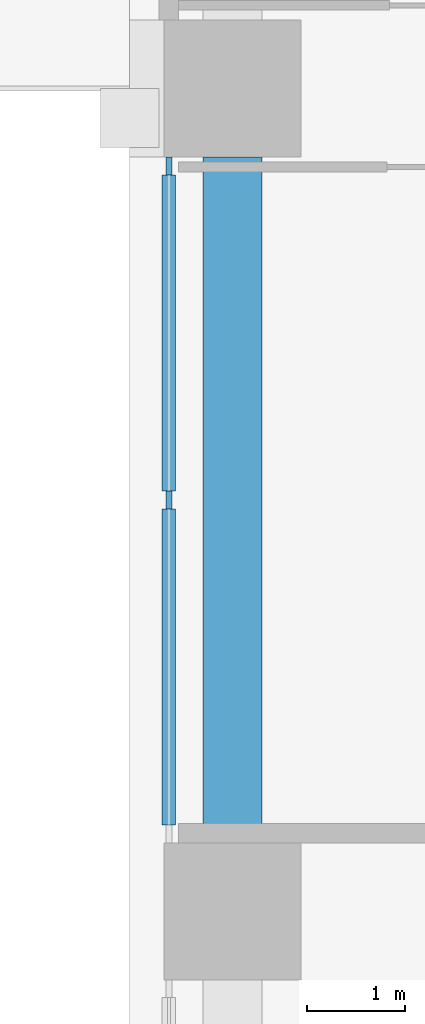
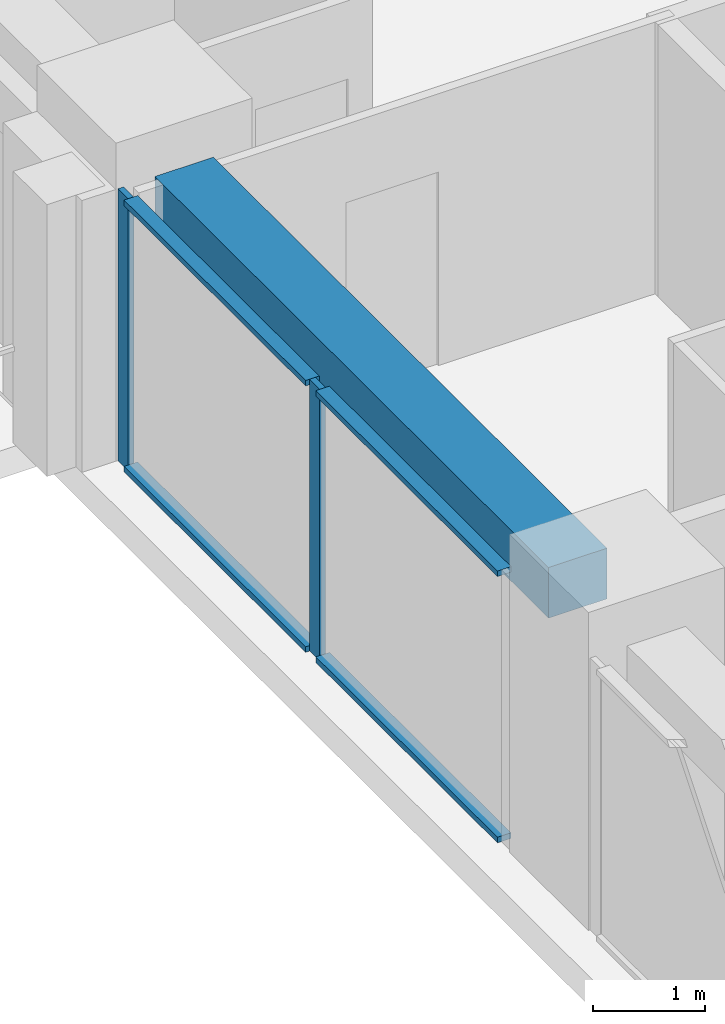
# One storey, part 3 of 16: 6 members, 1 beam, 1 element without a shape of its own.
"""IFC4 building model written with IfcOpenShell, lengths in metres."""

import ifcopenshell
import ifcopenshell.guid

model = None  # the IFC model being written
_history = None  # IfcOwnerHistory: only IFC2X3 demands one
_inside = {}  # id of a spatial element -> (the spatial element, [elements in it])
_under = {}  # id of a project, library or spatial element -> (it, [spatial elements below it])
_declared = {}  # id of a project -> (the project, [libraries it declares])
_typed = {}  # id of a type object -> (the type object, [elements of that type])
_made_of = {}  # id of a material, layer set ... -> (it, [elements and type objects made of it])


def new_model(schema):
    """Start an empty IFC model of exactly this schema.

    Asked for "IFC4X3", IfcOpenShell would pick the latest addendum, in which some entities
    have other attributes; the version numbers below select the first issue.
    IFC2X3 requires an IfcOwnerHistory on every rooted entity: one is made here for all.
    """
    global model, _history
    if schema == "IFC4X3":
        model = ifcopenshell.file(schema_version=(4, 3, 0, 0))
    else:
        model = ifcopenshell.file(schema=schema)
    _inside.clear()
    _under.clear()
    _declared.clear()
    _typed.clear()
    _made_of.clear()
    _history = None
    if model.schema == "IFC2X3":
        org = make("IfcOrganization", Name="unknown")
        user = make(
            "IfcPersonAndOrganization",
            ThePerson=make("IfcPerson", FamilyName="unknown"),
            TheOrganization=org,
        )
        app = make(
            "IfcApplication",
            ApplicationDeveloper=org,
            Version="unknown",
            ApplicationFullName="unknown",
            ApplicationIdentifier="unknown",
        )
        _history = make(
            "IfcOwnerHistory",
            OwningUser=user,
            OwningApplication=app,
            ChangeAction="ADDED",
            CreationDate=0,
        )
    return model


def make(cls, **values):
    """One entity of the class cls with the attributes given. An attribute that is None is left unset."""
    return model.create_entity(
        cls, **{name: value for name, value in values.items() if value is not None}
    )


def rooted(cls, **values):
    """An entity with a GlobalId (a new one), such as an element, a storey or a relation."""
    return make(cls, GlobalId=ifcopenshell.guid.new(), OwnerHistory=_history, **values)


def si_unit(unit_type, name, prefix=None):
    """IfcSIUnit, for example si_unit("LENGTHUNIT", "METRE", prefix="MILLI")."""
    return make("IfcSIUnit", UnitType=unit_type, Prefix=prefix, Name=name)


def assignment(units):
    """IfcUnitAssignment: the units of a project."""
    return None if units is None else make("IfcUnitAssignment", Units=units)


def point(xyz):
    """IfcCartesianPoint."""
    return None if xyz is None else make("IfcCartesianPoint", Coordinates=xyz)


def direction(xyz):
    """IfcDirection."""
    return None if xyz is None else make("IfcDirection", DirectionRatios=xyz)


def frame(location, z_axis=None, x_axis=None):
    """IfcAxis2Placement3D, a coordinate frame: its origin and axes. An axis left out is left unset."""
    return make(
        "IfcAxis2Placement3D",
        Location=point(location),
        Axis=direction(z_axis),
        RefDirection=direction(x_axis),
    )


def frame_2d(location, x_axis=None):
    """IfcAxis2Placement2D, a coordinate frame in the plane: its origin and x axis."""
    return make(
        "IfcAxis2Placement2D", Location=point(location), RefDirection=direction(x_axis)
    )


def origin():
    """The frame at (0, 0, 0) with its axes left unset."""
    return frame((0.0, 0.0, 0.0))


def origin_2d():
    """The frame at (0, 0) in the plane with its x axis left unset."""
    return frame_2d((0.0, 0.0))


def place(relative_to, where):
    """IfcLocalPlacement: puts the frame where relative to a parent placement (None: the world)."""
    return make(
        "IfcLocalPlacement", PlacementRelTo=relative_to, RelativePlacement=where
    )


def context(
    kind, dimensions, precision=None, world=None, true_north=None, identifier=None
):
    """IfcGeometricRepresentationContext, for example the 3D "Model" context."""
    return make(
        "IfcGeometricRepresentationContext",
        ContextIdentifier=identifier,
        ContextType=kind,
        CoordinateSpaceDimension=dimensions,
        Precision=precision,
        WorldCoordinateSystem=world,
        TrueNorth=true_north,
    )


def subcontext(parent, identifier, kind, view, scale=None):
    """IfcGeometricRepresentationSubContext, for example "Body" below "Model"."""
    return make(
        "IfcGeometricRepresentationSubContext",
        ContextIdentifier=identifier,
        ContextType=kind,
        ParentContext=parent,
        TargetScale=scale,
        TargetView=view,
    )


def project(units=None, contexts=None):
    """IfcProject with its units and contexts."""
    return rooted(
        "IfcProject",
        Name="project",
        RepresentationContexts=contexts,
        UnitsInContext=assignment(units),
    )


def spatial(cls, under=None, at=None, **own):
    """A site, building, storey or space (cls), placed at a placement, below another one or the project."""
    s = rooted(cls, ObjectPlacement=at, **own)
    if under is not None:
        _under.setdefault(under.id(), (under, []))[1].append(s)
    return s


def profile(cls, at=None, kind="AREA", **sizes):
    """A parametric profile (cls). Its sizes go by their IFC names, for example OverallWidth=200.0."""
    return make(cls, ProfileType=kind, Position=at, **sizes)


def rectangle(**sizes):
    """IfcRectangleProfileDef."""
    return profile("IfcRectangleProfileDef", **sizes)


def extrude(swept, where, along, depth):
    """IfcExtrudedAreaSolid: the profile swept, set in the frame where, extruded along a direction by depth."""
    return make(
        "IfcExtrudedAreaSolid",
        SweptArea=swept,
        Position=where,
        ExtrudedDirection=direction(along),
        Depth=depth,
    )


def shape(context_of_items, identifier, shape_type, items):
    """IfcShapeRepresentation: the items that make up one representation, for example the "Body"."""
    return make(
        "IfcShapeRepresentation",
        ContextOfItems=context_of_items,
        RepresentationIdentifier=identifier,
        RepresentationType=shape_type,
        Items=items,
    )


def material(Name=None, Category=None):
    """IfcMaterial."""
    return make("IfcMaterial", Name=Name, Category=Category)


def material_profile(
    of_material, cross_section, Name=None, Category=None, Priority=None
):
    """IfcMaterialProfile: a cross section and its material."""
    return make(
        "IfcMaterialProfile",
        Name=Name,
        Material=of_material,
        Profile=cross_section,
        Priority=Priority,
        Category=Category,
    )


def profile_set(profiles, Name=None, composite=None):
    """IfcMaterialProfileSet."""
    return make(
        "IfcMaterialProfileSet",
        Name=Name,
        MaterialProfiles=profiles,
        CompositeProfile=composite,
    )


def made_of(thing, what):
    """Note that an element or type object is made of a material, layer set ...; save() writes the relation."""
    if what is not None:
        _made_of.setdefault(what.id(), (what, []))[1].append(thing)
    return thing


def type_object(cls, material=None, **own):
    """A type object (cls), such as IfcWallType, which elements share."""
    return made_of(rooted(cls, **own), material)


def element(
    cls,
    number,
    at=None,
    inside=None,
    cuts=None,
    type_object=None,
    material=None,
    context=None,
    identifier="Body",
    shape_type=None,
    held_by="IfcProductDefinitionShape",
    body=None,
    shapes=None,
    **own,
):
    """One element of the class cls, such as IfcWall. Its Tag is "e" and its number.

    at: its placement. inside: the storey or other place that contains it. cuts: it is an
    opening in that element (IfcRelVoidsElement). A single representation is given by context,
    identifier, shape_type and body (its items); several are given by shapes. held_by: the class
    of the entity that holds the representations. save() writes the other relations.
    """
    e = rooted(cls, Tag="e%d" % number, ObjectPlacement=at, **own)
    if body is not None:
        shapes = [shape(context, identifier, shape_type, body)]
    if shapes is not None:
        e.Representation = make(held_by, Representations=shapes)
    if inside is not None:
        _inside.setdefault(inside.id(), (inside, []))[1].append(e)
    if cuts is not None:
        rooted(
            "IfcRelVoidsElement", RelatingBuildingElement=cuts, RelatedOpeningElement=e
        )
    if type_object is not None:
        _typed.setdefault(type_object.id(), (type_object, []))[1].append(e)
    return made_of(e, material)


def aggregate(whole, parts):
    """IfcRelAggregates: a whole, such as a stair, and the parts it consists of."""
    return rooted("IfcRelAggregates", RelatingObject=whole, RelatedObjects=parts)


def save(model, path):
    """Write the relations noted so far, then the file.

    IfcRelAggregates (storeys below a building ...), IfcRelContainedInSpatialStructure (elements
    in a storey), IfcRelDefinesByType, IfcRelAssociatesMaterial and IfcRelDeclares: one each for
    every whole, place, type object, material and project.
    """
    for whole, parts in _under.values():
        aggregate(whole, parts)
    for where, things in _inside.values():
        rooted(
            "IfcRelContainedInSpatialStructure",
            RelatedElements=things,
            RelatingStructure=where,
        )
    for kind, things in _typed.values():
        rooted("IfcRelDefinesByType", RelatedObjects=things, RelatingType=kind)
    for what, things in _made_of.values():
        rooted("IfcRelAssociatesMaterial", RelatedObjects=things, RelatingMaterial=what)
    for by, libraries in _declared.values():
        rooted("IfcRelDeclares", RelatingContext=by, RelatedDefinitions=libraries)
    model.write(path)


model = new_model("IFC4")

# Units and contexts
model_context = context("Model", 3, precision=1e-05, world=origin(), true_north=direction((0.0, 1.0)))
body_context = subcontext(model_context, "Body", "Model", "MODEL_VIEW")
ifc_project = project(units=[si_unit("LENGTHUNIT", "METRE"), si_unit("AREAUNIT", "SQUARE_METRE"), si_unit("VOLUMEUNIT", "CUBIC_METRE"), si_unit("PLANEANGLEUNIT", "RADIAN"), si_unit("MASSUNIT", "GRAM", prefix="KILO")], contexts=[model_context])

# Site, building, storey
site_placement = place(None, origin())
site = spatial("IfcSite", under=ifc_project, at=site_placement, CompositionType="ELEMENT")
building_placement = place(site_placement, origin())
building = spatial("IfcBuilding", under=site, at=building_placement, Name="Vermilion Ogive Tower", CompositionType="ELEMENT")
storey_placement = place(building_placement, frame((0.0, 0.0, 72.449951171875)))
storey = spatial("IfcBuildingStorey", under=building, at=storey_placement, Name="L17", CompositionType="ELEMENT", Elevation=72.449951171875)

# Curtain wall, members
ifc_material_1 = material(Name="Low-iron laminated glazing in aluminium frame", Category="aluminium")
curtain_wall_type = type_object("IfcCurtainWallType", Name="Curtain wall CW7", PredefinedType="NOTDEFINED", material=ifc_material_1)
curtain_wall_placement = place(storey_placement, origin())
curtain_wall = element("IfcCurtainWall", 1, at=curtain_wall_placement, inside=storey, type_object=curtain_wall_type, Name="Glazed skin W2", PredefinedType="NOTDEFINED")
ifc_material_2 = material(Name="Aluminium mullion", Category="aluminium")
ifc_material_profile_1 = material_profile(ifc_material_2, rectangle(XDim=0.06005859375, YDim=0.179931640625, at=origin_2d()), Name="AL 60x180")
ifc_profile_set_1 = profile_set([ifc_material_profile_1], Name="Aluminium mullion")
member_type_1 = type_object("IfcMemberType", Name="CW7 mullion 60x180", PredefinedType="MULLION", material=ifc_profile_set_1)
member_1_placement = place(storey_placement, frame((-25.85009765625, 3.409912109375, 0.0), z_axis=(0.0, 0.0, 1.0), x_axis=(1.0, 0.0, 0.0)))
member_1 = element("IfcMember", 2, at=member_1_placement, type_object=member_type_1, Name="CW7-W2 mullion 1", PredefinedType="MULLION", context=body_context, shape_type="SweptSolid", body=[
    extrude(rectangle(XDim=0.06005859375, YDim=0.179931640625, at=origin_2d()), origin(), (0.0, 0.0, 1.0), 2.949951171875),
])
member_2_placement = place(storey_placement, frame((-25.85009765625, 0.0, 0.0), z_axis=(0.0, 0.0, 1.0), x_axis=(1.0, 0.0, 0.0)))
member_2 = element("IfcMember", 3, at=member_2_placement, type_object=member_type_1, Name="CW7-W2 mullion 2", PredefinedType="MULLION", context=body_context, shape_type="SweptSolid", body=[
    extrude(rectangle(XDim=0.06005859375, YDim=0.179931640625, at=origin_2d()), origin(), (0.0, 0.0, 1.0), 2.949951171875),
])
ifc_material_3 = material(Name="Aluminium transom", Category="aluminium")
ifc_material_profile_2 = material_profile(ifc_material_3, rectangle(XDim=0.139892578125, YDim=0.06005859375, at=origin_2d()), Name="AL 60x140")
ifc_profile_set_2 = profile_set([ifc_material_profile_2], Name="Aluminium transom")
member_type_2 = type_object("IfcMemberType", Name="CW7 transom 60x140", PredefinedType="USERDEFINED", material=ifc_profile_set_2)
member_3_placement = place(storey_placement, frame((-25.85009765625, 3.320068359375, 0.030029296875), z_axis=(0.0, -1.0, 0.0), x_axis=(1.0, 0.0, 0.0)))
member_3 = element("IfcMember", 4, at=member_3_placement, type_object=member_type_2, Name="CW7-W2 transom 1.1", ObjectType="TRANSOM", PredefinedType="USERDEFINED", context=body_context, shape_type="SweptSolid", body=[
    extrude(rectangle(XDim=0.139892578125, YDim=0.06005859375, at=origin_2d()), origin(), (0.0, 0.0, 1.0), 3.22998046875),
])
member_4_placement = place(storey_placement, frame((-25.85009765625, 3.320068359375, 2.920166015625), z_axis=(0.0, -1.0, 0.0), x_axis=(1.0, 0.0, 0.0)))
member_4 = element("IfcMember", 5, at=member_4_placement, type_object=member_type_2, Name="CW7-W2 transom 1.2", ObjectType="TRANSOM", PredefinedType="USERDEFINED", context=body_context, shape_type="SweptSolid", body=[
    extrude(rectangle(XDim=0.139892578125, YDim=0.06005859375, at=origin_2d()), origin(), (0.0, 0.0, 1.0), 3.22998046875),
])
member_5_placement = place(storey_placement, frame((-25.85009765625, -0.090087890625, 0.030029296875), z_axis=(0.0, -1.0, 0.0), x_axis=(1.0, 0.0, 0.0)))
member_5 = element("IfcMember", 6, at=member_5_placement, type_object=member_type_2, Name="CW7-W2 transom 2.1", ObjectType="TRANSOM", PredefinedType="USERDEFINED", context=body_context, shape_type="SweptSolid", body=[
    extrude(rectangle(XDim=0.139892578125, YDim=0.06005859375, at=origin_2d()), origin(), (0.0, 0.0, 1.0), 3.22998046875),
])
member_6_placement = place(storey_placement, frame((-25.85009765625, -0.090087890625, 2.920166015625), z_axis=(0.0, -1.0, 0.0), x_axis=(1.0, 0.0, 0.0)))
member_6 = element("IfcMember", 7, at=member_6_placement, type_object=member_type_2, Name="CW7-W2 transom 2.2", ObjectType="TRANSOM", PredefinedType="USERDEFINED", context=body_context, shape_type="SweptSolid", body=[
    extrude(rectangle(XDim=0.139892578125, YDim=0.06005859375, at=origin_2d()), origin(), (0.0, 0.0, 1.0), 3.22998046875),
])
aggregate(curtain_wall, [member_1, member_2, member_3, member_4, member_5, member_6])

# Beam
ifc_material_4 = material(Name="Concrete B45", Category="concrete")
ifc_material_profile_3 = material_profile(ifc_material_4, rectangle(XDim=0.60009765625, YDim=0.550048828125, at=origin_2d()), Name="600 x 550")
ifc_profile_set_3 = profile_set([ifc_material_profile_3], Name="Concrete B45")
beam_type = type_object("IfcBeamType", Name="Edge beam 600 x 550 B45", PredefinedType="BEAM", material=ifc_profile_set_3)
beam_placement = place(storey_placement, frame((-25.199951171875, 3.5, 2.675048828125), z_axis=(0.0, -1.0, 0.0), x_axis=(1.0, 0.0, 0.0)))
element("IfcBeam", 8, at=beam_placement, inside=storey, type_object=beam_type, Name="L17-EB-15", PredefinedType="BEAM", context=body_context, shape_type="SweptSolid", body=[
    extrude(rectangle(XDim=0.60009765625, YDim=0.550048828125, at=origin_2d()), origin(), (0.0, 0.0, 1.0), 7.0),
])

save(model, "model.ifc")
